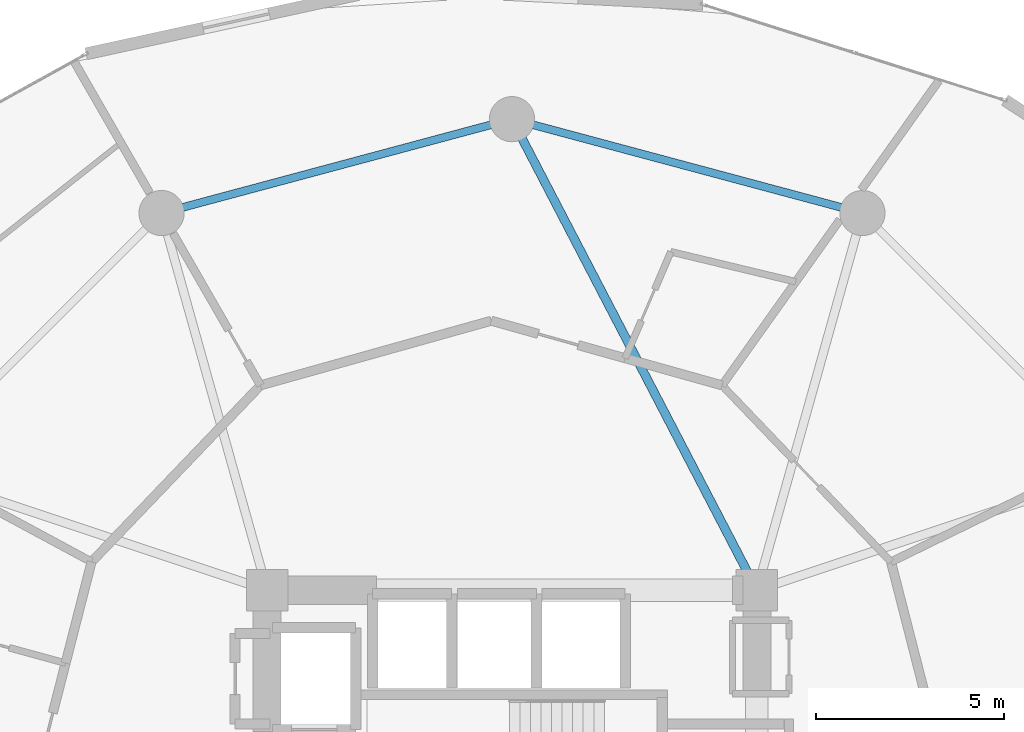
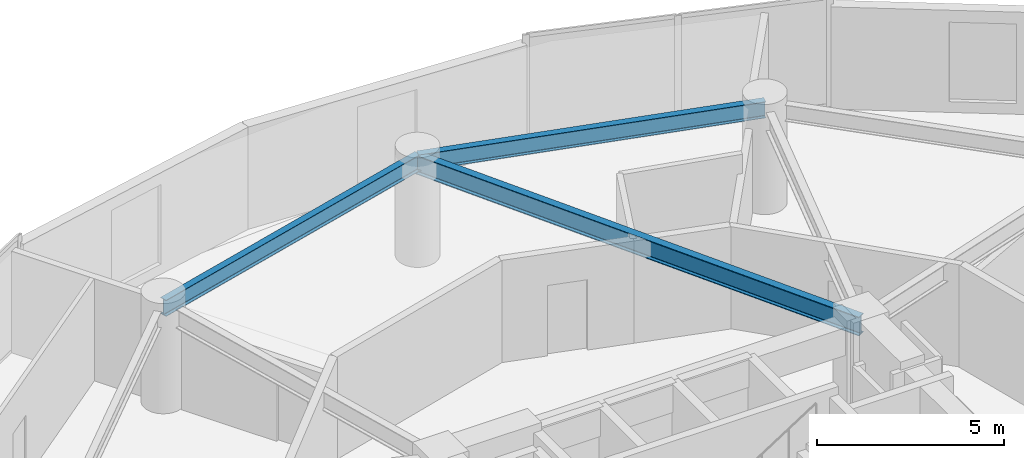
# One storey, part 12 of 23: 3 beams.
"""IFC4 building model written with IfcOpenShell, lengths in metres."""

from ifc_helpers import new_model, si_unit, direction, frame, origin, origin_2d, place, context, subcontext, project, spatial, i_section, extrude, material, material_profile, profile_set, type_object, element, save


model = new_model("IFC4")

# Units and contexts
model_context = context("Model", 3, precision=1e-05, world=origin(), true_north=direction((0.0, 1.0)))
body_context = subcontext(model_context, "Body", "Model", "MODEL_VIEW")
ifc_project = project(units=[si_unit("LENGTHUNIT", "METRE"), si_unit("AREAUNIT", "SQUARE_METRE"), si_unit("VOLUMEUNIT", "CUBIC_METRE"), si_unit("PLANEANGLEUNIT", "RADIAN"), si_unit("MASSUNIT", "GRAM", prefix="KILO")], contexts=[model_context])

# Site, building, storey
site_placement = place(None, origin())
site = spatial("IfcSite", under=ifc_project, at=site_placement, CompositionType="ELEMENT")
building_placement = place(site_placement, origin())
building = spatial("IfcBuilding", under=site, at=building_placement, Name="Solvirekh Grand Hotel", CompositionType="ELEMENT")
storey_placement = place(building_placement, frame((0.0, 0.0, 46.39990234375)))
storey = spatial("IfcBuildingStorey", under=building, at=storey_placement, Name="L10", CompositionType="ELEMENT", Elevation=46.39990234375)

# Beams
ifc_material = material(Name="Steel S355", Category="steel")
ifc_material_profile_1 = material_profile(ifc_material, i_section(OverallWidth=0.22998046875, OverallDepth=0.615966796875, WebThickness=0.013916015625, FlangeThickness=0.02392578125, FilletRadius=0.014892578125, at=origin_2d()), Name="W610X174")
ifc_profile_set_1 = profile_set([ifc_material_profile_1], Name="Steel S355")
beam_type_1 = type_object("IfcBeamType", Name="Beam_Primary_W610H", PredefinedType="BEAM", material=ifc_profile_set_1)
beam_placement = place(storey_placement, frame((6.5, 6.10009765625, 3.031982421875), z_axis=(-0.461352736642, 0.887216801235, 0.0), x_axis=(-0.887216801235, -0.461352736642, 0.0)))
element("IfcBeam", 1, at=beam_placement, inside=storey, type_object=beam_type_1, Name="L10 radial floor beam R04", PredefinedType="BEAM", context=body_context, shape_type="SweptSolid", body=[
    extrude(i_section(OverallWidth=0.22998046875, OverallDepth=0.615966796875, WebThickness=0.013916015625, FlangeThickness=0.02392578125, FilletRadius=0.014892578125, at=origin_2d()), origin(), (0.0, 0.0, 1.0), 14.089111328125),
])
ifc_material_profile_2 = material_profile(ifc_material, i_section(OverallWidth=0.208984375, OverallDepth=0.532958984375, WebThickness=0.010009765625, FlangeThickness=0.014892578125, FilletRadius=0.013916015625, at=origin_2d()), Name="W530X92")
ifc_profile_set_2 = profile_set([ifc_material_profile_2], Name="Steel S355")
beam_type_2 = type_object("IfcBeamType", Name="Spandrel_Ring_W530", PredefinedType="SPANDREL", material=ifc_profile_set_2)
for number, where, z_axis, x_axis, name in (
    (2, (9.300048828125, 16.10791015625, 3.07421875), (-0.965919414426, 0.258842973314, 0.0), (-0.258842973314, -0.965919414426, 0.0), "L10 perimeter spandrel beam 3"),
    (3, (0.0, 18.60009765625, 3.07421875), (-0.965919414426, -0.258842973314, 0.0), (0.258842973314, -0.965919414426, 0.0), "L10 perimeter spandrel beam 4"),
):
    element("IfcBeam", number, at=place(storey_placement, frame(where, z_axis=z_axis, x_axis=x_axis)), inside=storey, type_object=beam_type_2, Name=name, PredefinedType="SPANDREL", context=body_context, shape_type="SweptSolid", body=[
        extrude(i_section(OverallWidth=0.208984375, OverallDepth=0.532958984375, WebThickness=0.010009765625, FlangeThickness=0.014892578125, FilletRadius=0.013916015625, at=origin_2d()), origin(), (0.0, 0.0, 1.0), 9.628173828125),
    ])

save(model, "model.ifc")
